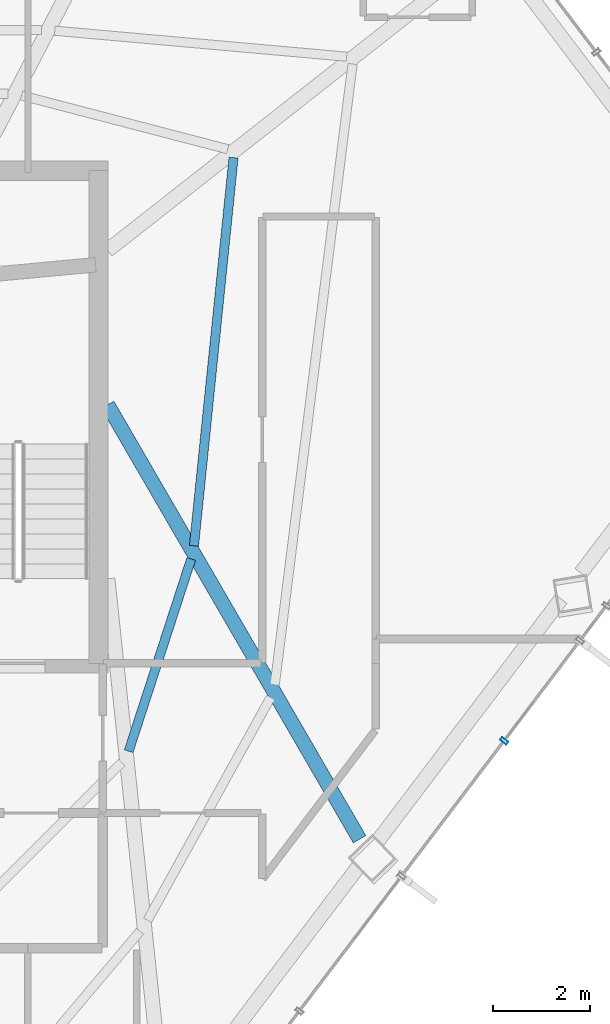
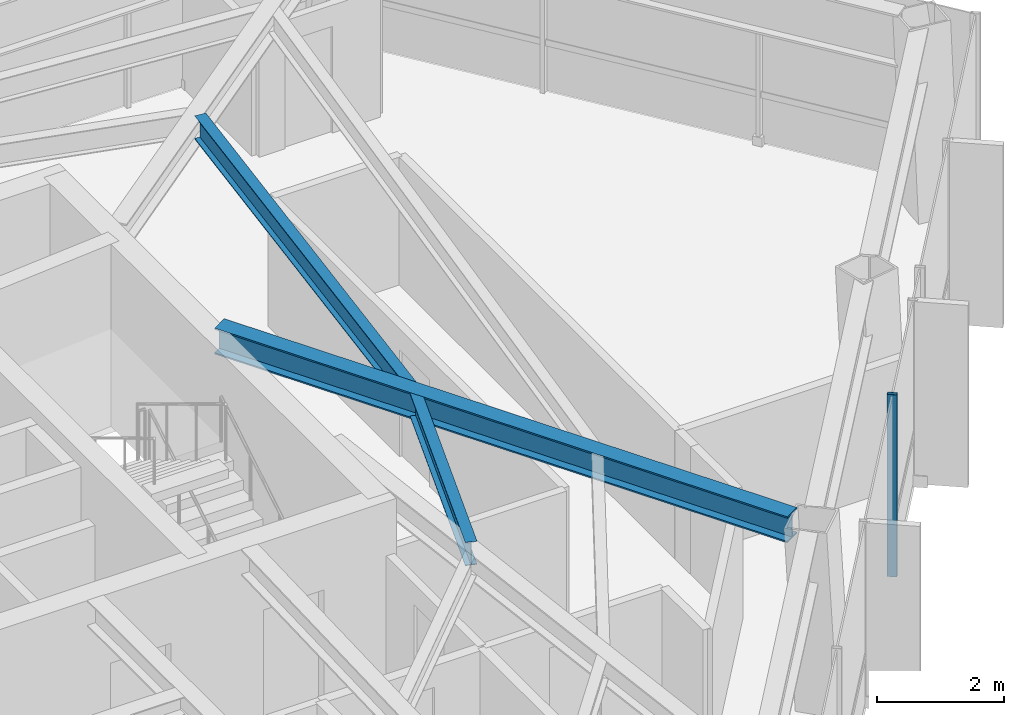
# One storey, part 18 of 27: 3 beams, 1 member, 1 element without a shape of its own.
"""IFC4 building model written with IfcOpenShell, lengths in metres."""

import ifcopenshell
import ifcopenshell.guid

model = None  # the IFC model being written
_history = None  # IfcOwnerHistory: only IFC2X3 demands one
_inside = {}  # id of a spatial element -> (the spatial element, [elements in it])
_under = {}  # id of a project, library or spatial element -> (it, [spatial elements below it])
_declared = {}  # id of a project -> (the project, [libraries it declares])
_typed = {}  # id of a type object -> (the type object, [elements of that type])
_made_of = {}  # id of a material, layer set ... -> (it, [elements and type objects made of it])


def new_model(schema):
    """Start an empty IFC model of exactly this schema.

    Asked for "IFC4X3", IfcOpenShell would pick the latest addendum, in which some entities
    have other attributes; the version numbers below select the first issue.
    IFC2X3 requires an IfcOwnerHistory on every rooted entity: one is made here for all.
    """
    global model, _history
    if schema == "IFC4X3":
        model = ifcopenshell.file(schema_version=(4, 3, 0, 0))
    else:
        model = ifcopenshell.file(schema=schema)
    _inside.clear()
    _under.clear()
    _declared.clear()
    _typed.clear()
    _made_of.clear()
    _history = None
    if model.schema == "IFC2X3":
        org = make("IfcOrganization", Name="unknown")
        user = make(
            "IfcPersonAndOrganization",
            ThePerson=make("IfcPerson", FamilyName="unknown"),
            TheOrganization=org,
        )
        app = make(
            "IfcApplication",
            ApplicationDeveloper=org,
            Version="unknown",
            ApplicationFullName="unknown",
            ApplicationIdentifier="unknown",
        )
        _history = make(
            "IfcOwnerHistory",
            OwningUser=user,
            OwningApplication=app,
            ChangeAction="ADDED",
            CreationDate=0,
        )
    return model


def make(cls, **values):
    """One entity of the class cls with the attributes given. An attribute that is None is left unset."""
    return model.create_entity(
        cls, **{name: value for name, value in values.items() if value is not None}
    )


def rooted(cls, **values):
    """An entity with a GlobalId (a new one), such as an element, a storey or a relation."""
    return make(cls, GlobalId=ifcopenshell.guid.new(), OwnerHistory=_history, **values)


def si_unit(unit_type, name, prefix=None):
    """IfcSIUnit, for example si_unit("LENGTHUNIT", "METRE", prefix="MILLI")."""
    return make("IfcSIUnit", UnitType=unit_type, Prefix=prefix, Name=name)


def assignment(units):
    """IfcUnitAssignment: the units of a project."""
    return None if units is None else make("IfcUnitAssignment", Units=units)


def point(xyz):
    """IfcCartesianPoint."""
    return None if xyz is None else make("IfcCartesianPoint", Coordinates=xyz)


def direction(xyz):
    """IfcDirection."""
    return None if xyz is None else make("IfcDirection", DirectionRatios=xyz)


def frame(location, z_axis=None, x_axis=None):
    """IfcAxis2Placement3D, a coordinate frame: its origin and axes. An axis left out is left unset."""
    return make(
        "IfcAxis2Placement3D",
        Location=point(location),
        Axis=direction(z_axis),
        RefDirection=direction(x_axis),
    )


def frame_2d(location, x_axis=None):
    """IfcAxis2Placement2D, a coordinate frame in the plane: its origin and x axis."""
    return make(
        "IfcAxis2Placement2D", Location=point(location), RefDirection=direction(x_axis)
    )


def origin():
    """The frame at (0, 0, 0) with its axes left unset."""
    return frame((0.0, 0.0, 0.0))


def origin_2d():
    """The frame at (0, 0) in the plane with its x axis left unset."""
    return frame_2d((0.0, 0.0))


def place(relative_to, where):
    """IfcLocalPlacement: puts the frame where relative to a parent placement (None: the world)."""
    return make(
        "IfcLocalPlacement", PlacementRelTo=relative_to, RelativePlacement=where
    )


def context(
    kind, dimensions, precision=None, world=None, true_north=None, identifier=None
):
    """IfcGeometricRepresentationContext, for example the 3D "Model" context."""
    return make(
        "IfcGeometricRepresentationContext",
        ContextIdentifier=identifier,
        ContextType=kind,
        CoordinateSpaceDimension=dimensions,
        Precision=precision,
        WorldCoordinateSystem=world,
        TrueNorth=true_north,
    )


def subcontext(parent, identifier, kind, view, scale=None):
    """IfcGeometricRepresentationSubContext, for example "Body" below "Model"."""
    return make(
        "IfcGeometricRepresentationSubContext",
        ContextIdentifier=identifier,
        ContextType=kind,
        ParentContext=parent,
        TargetScale=scale,
        TargetView=view,
    )


def project(units=None, contexts=None):
    """IfcProject with its units and contexts."""
    return rooted(
        "IfcProject",
        Name="project",
        RepresentationContexts=contexts,
        UnitsInContext=assignment(units),
    )


def spatial(cls, under=None, at=None, **own):
    """A site, building, storey or space (cls), placed at a placement, below another one or the project."""
    s = rooted(cls, ObjectPlacement=at, **own)
    if under is not None:
        _under.setdefault(under.id(), (under, []))[1].append(s)
    return s


def profile(cls, at=None, kind="AREA", **sizes):
    """A parametric profile (cls). Its sizes go by their IFC names, for example OverallWidth=200.0."""
    return make(cls, ProfileType=kind, Position=at, **sizes)


def hollow_rectangle(**sizes):
    """IfcRectangleHollowProfileDef."""
    return profile("IfcRectangleHollowProfileDef", **sizes)


def i_section(**sizes):
    """IfcIShapeProfileDef."""
    return profile("IfcIShapeProfileDef", **sizes)


def extrude(swept, where, along, depth):
    """IfcExtrudedAreaSolid: the profile swept, set in the frame where, extruded along a direction by depth."""
    return make(
        "IfcExtrudedAreaSolid",
        SweptArea=swept,
        Position=where,
        ExtrudedDirection=direction(along),
        Depth=depth,
    )


def shape(context_of_items, identifier, shape_type, items):
    """IfcShapeRepresentation: the items that make up one representation, for example the "Body"."""
    return make(
        "IfcShapeRepresentation",
        ContextOfItems=context_of_items,
        RepresentationIdentifier=identifier,
        RepresentationType=shape_type,
        Items=items,
    )


def material(Name=None, Category=None):
    """IfcMaterial."""
    return make("IfcMaterial", Name=Name, Category=Category)


def layer(
    of_material, thickness, ventilated=None, Name=None, Category=None, Priority=None
):
    """IfcMaterialLayer: one layer of a wall or slab, of a material (None: an air gap)."""
    return make(
        "IfcMaterialLayer",
        Material=of_material,
        LayerThickness=thickness,
        IsVentilated=ventilated,
        Name=Name,
        Category=Category,
        Priority=Priority,
    )


def layer_set(layers, Name=None):
    """IfcMaterialLayerSet."""
    return make("IfcMaterialLayerSet", MaterialLayers=layers, LayerSetName=Name)


def material_profile(
    of_material, cross_section, Name=None, Category=None, Priority=None
):
    """IfcMaterialProfile: a cross section and its material."""
    return make(
        "IfcMaterialProfile",
        Name=Name,
        Material=of_material,
        Profile=cross_section,
        Priority=Priority,
        Category=Category,
    )


def profile_set(profiles, Name=None, composite=None):
    """IfcMaterialProfileSet."""
    return make(
        "IfcMaterialProfileSet",
        Name=Name,
        MaterialProfiles=profiles,
        CompositeProfile=composite,
    )


def made_of(thing, what):
    """Note that an element or type object is made of a material, layer set ...; save() writes the relation."""
    if what is not None:
        _made_of.setdefault(what.id(), (what, []))[1].append(thing)
    return thing


def type_object(cls, material=None, **own):
    """A type object (cls), such as IfcWallType, which elements share."""
    return made_of(rooted(cls, **own), material)


def element(
    cls,
    number,
    at=None,
    inside=None,
    cuts=None,
    type_object=None,
    material=None,
    context=None,
    identifier="Body",
    shape_type=None,
    held_by="IfcProductDefinitionShape",
    body=None,
    shapes=None,
    **own,
):
    """One element of the class cls, such as IfcWall. Its Tag is "e" and its number.

    at: its placement. inside: the storey or other place that contains it. cuts: it is an
    opening in that element (IfcRelVoidsElement). A single representation is given by context,
    identifier, shape_type and body (its items); several are given by shapes. held_by: the class
    of the entity that holds the representations. save() writes the other relations.
    """
    e = rooted(cls, Tag="e%d" % number, ObjectPlacement=at, **own)
    if body is not None:
        shapes = [shape(context, identifier, shape_type, body)]
    if shapes is not None:
        e.Representation = make(held_by, Representations=shapes)
    if inside is not None:
        _inside.setdefault(inside.id(), (inside, []))[1].append(e)
    if cuts is not None:
        rooted(
            "IfcRelVoidsElement", RelatingBuildingElement=cuts, RelatedOpeningElement=e
        )
    if type_object is not None:
        _typed.setdefault(type_object.id(), (type_object, []))[1].append(e)
    return made_of(e, material)


def aggregate(whole, parts):
    """IfcRelAggregates: a whole, such as a stair, and the parts it consists of."""
    return rooted("IfcRelAggregates", RelatingObject=whole, RelatedObjects=parts)


def save(model, path):
    """Write the relations noted so far, then the file.

    IfcRelAggregates (storeys below a building ...), IfcRelContainedInSpatialStructure (elements
    in a storey), IfcRelDefinesByType, IfcRelAssociatesMaterial and IfcRelDeclares: one each for
    every whole, place, type object, material and project.
    """
    for whole, parts in _under.values():
        aggregate(whole, parts)
    for where, things in _inside.values():
        rooted(
            "IfcRelContainedInSpatialStructure",
            RelatedElements=things,
            RelatingStructure=where,
        )
    for kind, things in _typed.values():
        rooted("IfcRelDefinesByType", RelatedObjects=things, RelatingType=kind)
    for what, things in _made_of.values():
        rooted("IfcRelAssociatesMaterial", RelatedObjects=things, RelatingMaterial=what)
    for by, libraries in _declared.values():
        rooted("IfcRelDeclares", RelatingContext=by, RelatedDefinitions=libraries)
    model.write(path)


model = new_model("IFC4")

# Units and contexts
model_context = context("Model", 3, precision=1e-05, world=origin(), true_north=direction((0.0, 1.0)))
body_context = subcontext(model_context, "Body", "Model", "MODEL_VIEW")
ifc_project = project(units=[si_unit("LENGTHUNIT", "METRE"), si_unit("AREAUNIT", "SQUARE_METRE"), si_unit("VOLUMEUNIT", "CUBIC_METRE"), si_unit("PLANEANGLEUNIT", "RADIAN"), si_unit("MASSUNIT", "GRAM", prefix="KILO")], contexts=[model_context])

# Site, building, storey
site_placement = place(None, origin())
site = spatial("IfcSite", under=ifc_project, at=site_placement, CompositionType="ELEMENT")
building_placement = place(site_placement, origin())
building = spatial("IfcBuilding", under=site, at=building_placement, Name="Zarrinselat Tower", CompositionType="ELEMENT")
storey_placement = place(building_placement, frame((0.0, 0.0, 172.0400390625)))
storey = spatial("IfcBuildingStorey", under=building, at=storey_placement, Name="L42", CompositionType="ELEMENT", Elevation=172.0400390625)

# Beams
ifc_material_1 = material(Name="Steel S355J2", Category="steel")
ifc_material_profile_1 = material_profile(ifc_material_1, i_section(OverallWidth=0.300048828125, OverallDepth=0.5, WebThickness=0.014404296875, FlangeThickness=0.028076171875, at=origin_2d()), Name="HEB 500")
ifc_profile_set_1 = profile_set([ifc_material_profile_1], Name="Steel S355J2")
beam_type_1 = type_object("IfcBeamType", Name="BM-HEB500", PredefinedType="BEAM", material=ifc_profile_set_1)
beam_1_placement = place(storey_placement, frame((48.449951171875, 38.60009765625, 3.25), z_axis=(0.501674861783, -0.865056260052, 0.0), x_axis=(0.865056260052, 0.501674861783, 0.0)))
element("IfcBeam", 1, at=beam_1_placement, inside=storey, type_object=beam_type_1, Name="L42 Radial Primary Girder RG13", PredefinedType="BEAM", context=body_context, shape_type="SweptSolid", body=[
    extrude(i_section(OverallWidth=0.300048828125, OverallDepth=0.5, WebThickness=0.014404296875, FlangeThickness=0.028076171875, at=origin_2d()), origin(), (0.0, 0.0, 1.0), 10.396240234375),
])
ifc_material_2 = material(Name="Steel S355J2", Category="steel")
ifc_material_profile_2 = material_profile(ifc_material_2, i_section(OverallWidth=0.18994140625, OverallDepth=0.449951171875, WebThickness=0.009521484375, FlangeThickness=0.0146484375, at=origin_2d()), Name="IPE 450")
ifc_profile_set_2 = profile_set([ifc_material_profile_2], Name="Steel S355J2")
beam_type_2 = type_object("IfcBeamType", Name="BM-IPE450", PredefinedType="JOIST", material=ifc_profile_set_2)
beam_2_placement = place(storey_placement, frame((48.885009765625, 31.428466796875, 3.27490234375), z_axis=(0.309343221299, 0.950950456878, 0.0), x_axis=(-0.950950456878, 0.309343221299, 0.0)))
element("IfcBeam", 2, at=beam_2_placement, inside=storey, type_object=beam_type_2, Name="L42 Composite Floor Joist 4-2", PredefinedType="JOIST", context=body_context, shape_type="SweptSolid", body=[
    extrude(i_section(OverallWidth=0.18994140625, OverallDepth=0.449951171875, WebThickness=0.009521484375, FlangeThickness=0.0146484375, at=origin_2d()), origin(), (0.0, 0.0, 1.0), 4.18603515625),
])
beam_3_placement = place(storey_placement, frame((50.237548828125, 35.681640625, 3.27490234375), z_axis=(0.101409321868, 0.994844786607, 0.0), x_axis=(-0.994844786607, 0.101409321868, 0.0)))
element("IfcBeam", 3, at=beam_3_placement, inside=storey, type_object=beam_type_2, Name="L42 Composite Floor Joist 5-2", PredefinedType="JOIST", context=body_context, shape_type="SweptSolid", body=[
    extrude(i_section(OverallWidth=0.18994140625, OverallDepth=0.449951171875, WebThickness=0.009521484375, FlangeThickness=0.0146484375, at=origin_2d()), origin(), (0.0, 0.0, 1.0), 8.07958984375),
])

# Curtain wall, member
ifc_material_3 = material(Name="Extruded Aluminium Alloy EN AW-6063 T6", Category="aluminium")
ifc_layer = layer(ifc_material_3, 0.175048828125)
ifc_layer_set = layer_set([ifc_layer], Name="Extruded Aluminium Alloy EN AW-6063 T6")
curtain_wall_type = type_object("IfcCurtainWallType", Name="CWS-HTL", PredefinedType="NOTDEFINED", material=ifc_layer_set)
curtain_wall_placement = place(storey_placement, origin())
curtain_wall = element("IfcCurtainWall", 4, at=curtain_wall_placement, inside=storey, type_object=curtain_wall_type, Name="L42 Unitised Curtain Wall CW-L42-E05", PredefinedType="NOTDEFINED")
ifc_material_4 = material(Name="Extruded Aluminium Alloy EN AW-6063 T6", Category="aluminium")
ifc_material_profile_3 = material_profile(ifc_material_4, hollow_rectangle(XDim=0.070068359375, YDim=0.159912109375, WallThickness=0.00390625, at=origin_2d()), Name="RHS 160x70x4")
ifc_profile_set_3 = profile_set([ifc_material_profile_3], Name="Extruded Aluminium Alloy EN AW-6063 T6")
member_type = type_object("IfcMemberType", Name="MEM-CW-MUL2", PredefinedType="MULLION", material=ifc_profile_set_3)
member_placement = place(storey_placement, frame((56.6591796875, 31.64111328125, 0.0), z_axis=(0.0, 0.0, 1.0), x_axis=(0.603858853713, 0.797091265033, 0.0)))
member = element("IfcMember", 5, at=member_placement, type_object=member_type, Name="CW-L42-E05 Mullion 6", PredefinedType="MULLION", context=body_context, shape_type="SweptSolid", body=[
    extrude(hollow_rectangle(XDim=0.070068359375, YDim=0.159912109375, WallThickness=0.00390625, at=origin_2d()), origin(), (0.0, 0.0, 1.0), 3.5),
])
aggregate(curtain_wall, [member])

save(model, "model.ifc")
